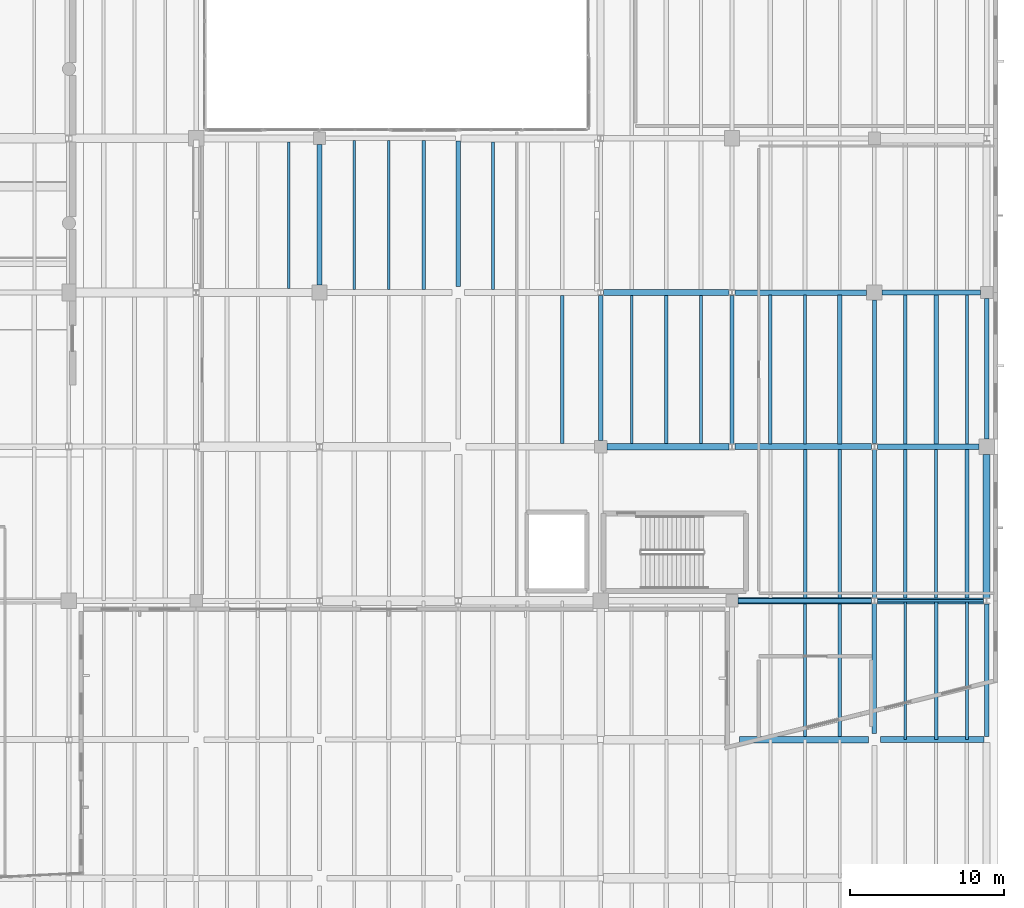
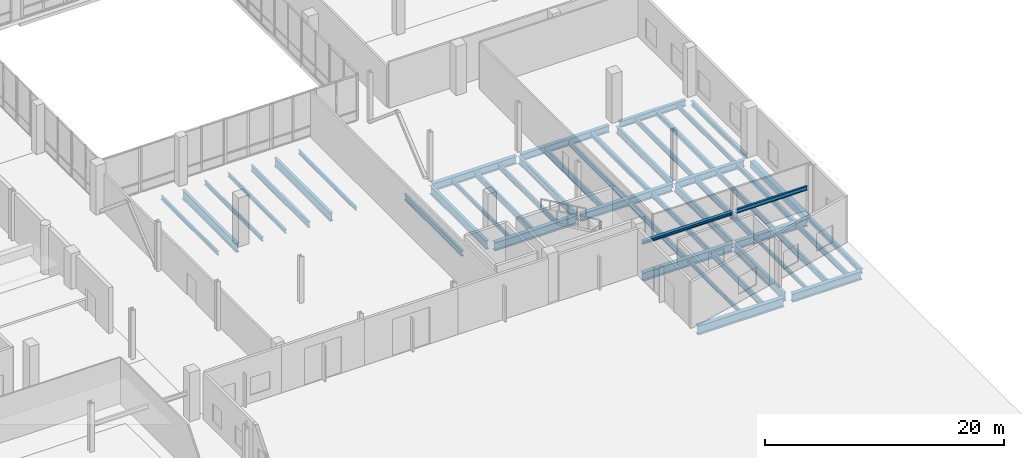
# One storey, part 52 of 88: 47 beams.
"""IFC4 building model written with IfcOpenShell, lengths in metres."""

from ifc_helpers import new_model, si_unit, direction, frame, origin, origin_2d, place, context, subcontext, project, spatial, rectangle, i_section, extrude, material, material_profile, profile_set, type_object, element, save


model = new_model("IFC4")

# Units and contexts
model_context = context("Model", 3, precision=1e-05, world=origin(), true_north=direction((0.0, 1.0)))
body_context = subcontext(model_context, "Body", "Model", "MODEL_VIEW")
ifc_project = project(units=[si_unit("LENGTHUNIT", "METRE"), si_unit("AREAUNIT", "SQUARE_METRE"), si_unit("VOLUMEUNIT", "CUBIC_METRE"), si_unit("PLANEANGLEUNIT", "RADIAN"), si_unit("MASSUNIT", "GRAM", prefix="KILO")], contexts=[model_context])

# Site, building, storey
site_placement = place(None, origin())
site = spatial("IfcSite", under=ifc_project, at=site_placement, CompositionType="ELEMENT")
building_placement = place(site_placement, origin())
building = spatial("IfcBuilding", under=site, at=building_placement, Name="Trimount Lyric Opera House", CompositionType="ELEMENT")
storey_placement = place(building_placement, origin())
storey = spatial("IfcBuildingStorey", under=building, at=storey_placement, Name="L00", CompositionType="ELEMENT", Elevation=0.0)

# Beams
ifc_material_1 = material(Name="Steel ASTM A992 Grade 50", Category="steel")
ifc_material_profile_1 = material_profile(ifc_material_1, i_section(OverallWidth=0.4189453125, OverallDepth=0.927001953125, WebThickness=0.019287109375, FlangeThickness=0.031982421875, FilletRadius=0.02392578125, at=origin_2d()), Name="W36X231")
ifc_profile_set_1 = profile_set([ifc_material_profile_1], Name="Steel ASTM A992 Grade 50")
beam_type_1 = type_object("IfcBeamType", Name="B-02", PredefinedType="BEAM", material=ifc_profile_set_1)
beam_1_placement = place(storey_placement, frame((157.260009765625, 35.0, -0.843505859375), z_axis=(1.0, 0.0, 0.0), x_axis=(0.0, 1.0, 0.0)))
element("IfcBeam", 1, at=beam_1_placement, inside=storey, type_object=beam_type_1, Name="L00 girder X-0082", PredefinedType="BEAM", context=body_context, shape_type="SweptSolid", body=[
    extrude(i_section(OverallWidth=0.4189453125, OverallDepth=0.927001953125, WebThickness=0.019287109375, FlangeThickness=0.031982421875, FilletRadius=0.02392578125, at=origin_2d()), origin(), (0.0, 0.0, 1.0), 8.340087890625),
])
ifc_material_2 = material(Name="Steel ASTM A992 Grade 50", Category="steel")
ifc_material_profile_2 = material_profile(ifc_material_2, i_section(OverallWidth=0.304931640625, OverallDepth=0.9189453125, WebThickness=0.017333984375, FlangeThickness=0.02783203125, FilletRadius=0.02001953125, at=origin_2d()), Name="W36X170")
ifc_profile_set_2 = profile_set([ifc_material_profile_2], Name="Steel ASTM A992 Grade 50")
beam_type_2 = type_object("IfcBeamType", Name="B-03", PredefinedType="BEAM", material=ifc_profile_set_2)
beam_2_placement = place(storey_placement, frame((130.0, 64.5, -0.839599609375), z_axis=(0.0, 1.0, 0.0), x_axis=(-1.0, 0.0, 0.0)))
element("IfcBeam", 2, at=beam_2_placement, inside=storey, type_object=beam_type_2, Name="L00 girder Y-0401", PredefinedType="BEAM", context=body_context, shape_type="SweptSolid", body=[
    extrude(i_section(OverallWidth=0.304931640625, OverallDepth=0.9189453125, WebThickness=0.017333984375, FlangeThickness=0.02783203125, FilletRadius=0.02001953125, at=origin_2d()), origin(), (0.0, 0.0, 1.0), 9.10009765625),
])
ifc_material_3 = material(Name="Steel ASTM A992 Grade 50", Category="steel")
ifc_material_profile_3 = material_profile(ifc_material_3, i_section(OverallWidth=0.40087890625, OverallDepth=0.861083984375, WebThickness=0.019775390625, FlangeThickness=0.032470703125, FilletRadius=0.02001953125, at=origin_2d()), Name="W33X221")
ifc_profile_set_3 = profile_set([ifc_material_profile_3], Name="Steel ASTM A992 Grade 50")
beam_type_3 = type_object("IfcBeamType", Name="B-04", PredefinedType="BEAM", material=ifc_profile_set_3)
beam_3_placement = place(storey_placement, frame((166.39990234375, 35.0, -0.73046875), z_axis=(1.0, 0.0, 0.0), x_axis=(0.0, 1.0, 0.0)))
element("IfcBeam", 3, at=beam_3_placement, inside=storey, type_object=beam_type_3, Name="L00 girder X-0083", PredefinedType="BEAM", context=body_context, shape_type="SweptSolid", body=[
    extrude(i_section(OverallWidth=0.40087890625, OverallDepth=0.861083984375, WebThickness=0.019775390625, FlangeThickness=0.032470703125, FilletRadius=0.02001953125, at=origin_2d()), origin(), (0.0, 0.0, 1.0), 6.693603515625),
])
beam_4_placement = place(storey_placement, frame((157.159912109375, 44.0, -0.810546875), z_axis=(1.0, 0.0, 0.0), x_axis=(0.0, 1.0, 0.0)))
element("IfcBeam", 4, at=beam_4_placement, inside=storey, type_object=beam_type_3, Name="L00 girder X-0101", PredefinedType="BEAM", context=body_context, shape_type="SweptSolid", body=[
    extrude(i_section(OverallWidth=0.40087890625, OverallDepth=0.861083984375, WebThickness=0.019775390625, FlangeThickness=0.032470703125, FilletRadius=0.02001953125, at=origin_2d()), origin(), (0.0, 0.0, 1.0), 8.653564453125),
])
beam_5_placement = place(storey_placement, frame((148.639892578125, 54.0, -0.810546875), z_axis=(1.0, 0.0, 0.0), x_axis=(0.0, 1.0, 0.0)))
element("IfcBeam", 5, at=beam_5_placement, inside=storey, type_object=beam_type_3, Name="L00 girder X-0119", PredefinedType="BEAM", context=body_context, shape_type="SweptSolid", body=[
    extrude(i_section(OverallWidth=0.40087890625, OverallDepth=0.861083984375, WebThickness=0.019775390625, FlangeThickness=0.032470703125, FilletRadius=0.02001953125, at=origin_2d()), origin(), (0.0, 0.0, 1.0), 7.93359375),
])
ifc_material_4 = material(Name="Steel ASTM A992 Grade 50", Category="steel")
ifc_material_profile_4 = material_profile(ifc_material_4, i_section(OverallWidth=0.2919921875, OverallDepth=0.845947265625, WebThickness=0.015380859375, FlangeThickness=0.0244140625, FilletRadius=0.01806640625, at=origin_2d()), Name="W33X141")
ifc_profile_set_4 = profile_set([ifc_material_profile_4], Name="Steel ASTM A992 Grade 50")
beam_type_4 = type_object("IfcBeamType", Name="B-05", PredefinedType="BEAM", material=ifc_profile_set_4)
for number, where, z_axis, x_axis, name in (
    (6, (139.0, 64.39990234375, -0.802978515625), (0.0, 1.0, 0.0), (-1.0, 0.0, 0.0), "L00 girder Y-0411"),
    (7, (148.239990234375, 54.39990234375, -0.802978515625), (0.0, 1.0, 0.0), (-1.0, 0.0, 0.0), "L00 girder Y-0420"),
):
    element("IfcBeam", number, at=place(storey_placement, frame(where, z_axis=z_axis, x_axis=x_axis)), inside=storey, type_object=beam_type_4, Name=name, PredefinedType="BEAM", context=body_context, shape_type="SweptSolid", body=[
        extrude(i_section(OverallWidth=0.2919921875, OverallDepth=0.845947265625, WebThickness=0.015380859375, FlangeThickness=0.0244140625, FilletRadius=0.01806640625, at=origin_2d()), origin(), (0.0, 0.0, 1.0), 9.416015625),
    ])
beam_6_placement = place(storey_placement, frame((166.0, 35.39990234375, -0.802978515625), z_axis=(0.0, 1.0, 0.0), x_axis=(-1.0, 0.0, 0.0)))
element("IfcBeam", 8, at=beam_6_placement, inside=storey, type_object=beam_type_4, Name="L00 girder Y-0443", PredefinedType="BEAM", context=body_context, shape_type="SweptSolid", body=[
    extrude(i_section(OverallWidth=0.2919921875, OverallDepth=0.845947265625, WebThickness=0.015380859375, FlangeThickness=0.0244140625, FilletRadius=0.01806640625, at=origin_2d()), origin(), (0.0, 0.0, 1.0), 8.416015625),
])
ifc_material_5 = material(Name="Steel ASTM A992 Grade 50", Category="steel")
ifc_material_profile_5 = material_profile(ifc_material_5, i_section(OverallWidth=0.382080078125, OverallDepth=0.779052734375, WebThickness=0.01806640625, FlangeThickness=0.0302734375, FilletRadius=0.01904296875, at=origin_2d()), Name="W30X191")
ifc_profile_set_5 = profile_set([ifc_material_profile_5], Name="Steel ASTM A992 Grade 50")
beam_type_5 = type_object("IfcBeamType", Name="B-06", PredefinedType="BEAM", material=ifc_profile_set_5)
beam_7_placement = place(storey_placement, frame((166.1865234375, 44.0, -0.76953125), z_axis=(1.0, 0.0, 0.0), x_axis=(0.0, 1.0, 0.0)))
element("IfcBeam", 9, at=beam_7_placement, inside=storey, type_object=beam_type_5, Name="L00 girder X-0102", PredefinedType="BEAM", context=body_context, shape_type="SweptSolid", body=[
    extrude(i_section(OverallWidth=0.382080078125, OverallDepth=0.779052734375, WebThickness=0.01806640625, FlangeThickness=0.0302734375, FilletRadius=0.01904296875, at=origin_2d()), origin(), (0.0, 0.0, 1.0), 6.89404296875),
])
beam_8_placement = place(storey_placement, frame((156.946533203125, 54.0, -0.76953125), z_axis=(1.0, 0.0, 0.0), x_axis=(0.0, 1.0, 0.0)))
element("IfcBeam", 10, at=beam_8_placement, inside=storey, type_object=beam_type_5, Name="L00 girder X-0120", PredefinedType="BEAM", context=body_context, shape_type="SweptSolid", body=[
    extrude(i_section(OverallWidth=0.382080078125, OverallDepth=0.779052734375, WebThickness=0.01806640625, FlangeThickness=0.0302734375, FilletRadius=0.01904296875, at=origin_2d()), origin(), (0.0, 0.0, 1.0), 8.85400390625),
])
beam_9_placement = place(storey_placement, frame((148.426513671875, 64.0, -0.76953125), z_axis=(1.0, 0.0, 0.0), x_axis=(0.0, 1.0, 0.0)))
element("IfcBeam", 11, at=beam_9_placement, inside=storey, type_object=beam_type_5, Name="L00 girder X-0138", PredefinedType="BEAM", context=body_context, shape_type="SweptSolid", body=[
    extrude(i_section(OverallWidth=0.382080078125, OverallDepth=0.779052734375, WebThickness=0.01806640625, FlangeThickness=0.0302734375, FilletRadius=0.01904296875, at=origin_2d()), origin(), (0.0, 0.0, 1.0), 8.134033203125),
])
ifc_material_6 = material(Name="Steel ASTM A992 Grade 50", Category="steel")
ifc_material_profile_6 = material_profile(ifc_material_6, i_section(OverallWidth=0.26708984375, OverallDepth=0.761962890625, WebThickness=0.014404296875, FlangeThickness=0.021484375, FilletRadius=0.01708984375, at=origin_2d()), Name="W30X116")
ifc_profile_set_6 = profile_set([ifc_material_profile_6], Name="Steel ASTM A992 Grade 50")
beam_type_6 = type_object("IfcBeamType", Name="B-07", PredefinedType="BEAM", material=ifc_profile_set_6)
for number, where, z_axis, x_axis, name in (
    (12, (156.760009765625, 54.18408203125, -0.760986328125), (0.0, 1.0, 0.0), (-1.0, 0.0, 0.0), "L00 girder Y-0432"),
    (13, (166.0, 44.18408203125, -0.760986328125), (0.0, 1.0, 0.0), (-1.0, 0.0, 0.0), "L00 girder Y-0444"),
):
    element("IfcBeam", number, at=place(storey_placement, frame(where, z_axis=z_axis, x_axis=x_axis)), inside=storey, type_object=beam_type_6, Name=name, PredefinedType="BEAM", context=body_context, shape_type="SweptSolid", body=[
        extrude(i_section(OverallWidth=0.26708984375, OverallDepth=0.761962890625, WebThickness=0.014404296875, FlangeThickness=0.021484375, FilletRadius=0.01708984375, at=origin_2d()), origin(), (0.0, 0.0, 1.0), 9.622802734375),
    ])
ifc_material_7 = material(Name="Steel ASTM A992 Grade 50", Category="steel")
ifc_material_profile_7 = material_profile(ifc_material_7, i_section(OverallWidth=0.35595703125, OverallDepth=0.700927734375, WebThickness=0.016845703125, FlangeThickness=0.02734375, FilletRadius=0.01806640625, at=origin_2d()), Name="W27X161")
ifc_profile_set_7 = profile_set([ifc_material_profile_7], Name="Steel ASTM A992 Grade 50")
beam_type_7 = type_object("IfcBeamType", Name="B-08", PredefinedType="BEAM", material=ifc_profile_set_7)
beam_10_placement = place(storey_placement, frame((166.199462890625, 54.0, -0.73046875), z_axis=(1.0, 0.0, 0.0), x_axis=(0.0, 1.0, 0.0)))
element("IfcBeam", 14, at=beam_10_placement, inside=storey, type_object=beam_type_7, Name="L00 girder X-0121", PredefinedType="BEAM", context=body_context, shape_type="SweptSolid", body=[
    extrude(i_section(OverallWidth=0.35595703125, OverallDepth=0.700927734375, WebThickness=0.016845703125, FlangeThickness=0.02734375, FilletRadius=0.01806640625, at=origin_2d()), origin(), (0.0, 0.0, 1.0), 6.58056640625),
])
beam_11_placement = place(storey_placement, frame((156.95947265625, 64.0, -0.73046875), z_axis=(1.0, 0.0, 0.0), x_axis=(0.0, 1.0, 0.0)))
element("IfcBeam", 15, at=beam_11_placement, inside=storey, type_object=beam_type_7, Name="L00 girder X-0139", PredefinedType="BEAM", context=body_context, shape_type="SweptSolid", body=[
    extrude(i_section(OverallWidth=0.35595703125, OverallDepth=0.700927734375, WebThickness=0.016845703125, FlangeThickness=0.02734375, FilletRadius=0.01806640625, at=origin_2d()), origin(), (0.0, 0.0, 1.0), 8.54052734375),
])
ifc_material_8 = material(Name="Steel ASTM A992 Grade 50", Category="steel")
ifc_material_profile_8 = material_profile(ifc_material_8, i_section(OverallWidth=0.25390625, OverallDepth=0.68798828125, WebThickness=0.01318359375, FlangeThickness=0.02099609375, FilletRadius=0.01611328125, at=origin_2d()), Name="W27X102")
ifc_profile_set_8 = profile_set([ifc_material_profile_8], Name="Steel ASTM A992 Grade 50")
beam_type_8 = type_object("IfcBeamType", Name="B-09", PredefinedType="BEAM", material=ifc_profile_set_8)
beam_12_placement = place(storey_placement, frame((166.0, 54.193115234375, -0.72412109375), z_axis=(0.0, 1.0, 0.0), x_axis=(-1.0, 0.0, 0.0)))
element("IfcBeam", 16, at=beam_12_placement, inside=storey, type_object=beam_type_8, Name="L00 girder Y-0445", PredefinedType="BEAM", context=body_context, shape_type="SweptSolid", body=[
    extrude(i_section(OverallWidth=0.25390625, OverallDepth=0.68798828125, WebThickness=0.01318359375, FlangeThickness=0.02099609375, FilletRadius=0.01611328125, at=origin_2d()), origin(), (0.0, 0.0, 1.0), 9.306884765625),
])
ifc_material_9 = material(Name="Steel ASTM A992 Grade 50", Category="steel")
ifc_material_profile_9 = material_profile(ifc_material_9, i_section(OverallWidth=0.327880859375, OverallDepth=0.626953125, WebThickness=0.0166015625, FlangeThickness=0.027587890625, FilletRadius=0.01611328125, at=origin_2d()), Name="W24X146")
ifc_profile_set_9 = profile_set([ifc_material_profile_9], Name="Steel ASTM A992 Grade 50")
beam_type_9 = type_object("IfcBeamType", Name="B-10", PredefinedType="BEAM", material=ifc_profile_set_9)
beam_13_placement = place(storey_placement, frame((166.5, 64.0, -0.693603515625), z_axis=(1.0, 0.0, 0.0), x_axis=(0.0, 1.0, 0.0)))
element("IfcBeam", 17, at=beam_13_placement, inside=storey, type_object=beam_type_9, Name="L00 girder X-0140", PredefinedType="BEAM", context=body_context, shape_type="SweptSolid", body=[
    extrude(i_section(OverallWidth=0.327880859375, OverallDepth=0.626953125, WebThickness=0.0166015625, FlangeThickness=0.027587890625, FilletRadius=0.01611328125, at=origin_2d()), origin(), (0.0, 0.0, 1.0), 6.3798828125),
])
ifc_material_10 = material(Name="Steel ASTM A992 Grade 50", Category="steel")
ifc_material_profile_10 = material_profile(ifc_material_10, i_section(OverallWidth=0.22802734375, OverallDepth=0.60205078125, WebThickness=0.010498046875, FlangeThickness=0.014892578125, FilletRadius=0.012939453125, at=origin_2d()), Name="W24X68")
ifc_profile_set_10 = profile_set([ifc_material_profile_10], Name="Steel ASTM A992 Grade 50")
beam_type_10 = type_object("IfcBeamType", Name="J-01", PredefinedType="BEAM", material=ifc_profile_set_10)
beam_14_placement = place(storey_placement, frame((136.75, 64.20556640625, -0.680908203125), z_axis=(0.0, 1.0, 0.0), x_axis=(-1.0, 0.0, 0.0)))
element("IfcBeam", 18, at=beam_14_placement, inside=storey, type_object=beam_type_10, Name="L00 composite floor joist 0422", PredefinedType="BEAM", context=body_context, shape_type="SweptSolid", body=[
    extrude(i_section(OverallWidth=0.22802734375, OverallDepth=0.60205078125, WebThickness=0.010498046875, FlangeThickness=0.014892578125, FilletRadius=0.012939453125, at=origin_2d()), origin(), (0.0, 0.0, 1.0), 9.657470703125),
])
beam_15_placement = place(storey_placement, frame((145.75, 54.20556640625, -0.680908203125), z_axis=(0.0, 1.0, 0.0), x_axis=(-1.0, 0.0, 0.0)))
element("IfcBeam", 19, at=beam_15_placement, inside=storey, type_object=beam_type_10, Name="L00 composite floor joist 0448", PredefinedType="BEAM", context=body_context, shape_type="SweptSolid", body=[
    extrude(i_section(OverallWidth=0.22802734375, OverallDepth=0.60205078125, WebThickness=0.010498046875, FlangeThickness=0.014892578125, FilletRadius=0.012939453125, at=origin_2d()), origin(), (0.0, 0.0, 1.0), 9.597900390625),
])
beam_16_placement = place(storey_placement, frame((152.5, 54.196533203125, -0.680908203125), z_axis=(0.0, 1.0, 0.0), x_axis=(-1.0, 0.0, 0.0)))
element("IfcBeam", 20, at=beam_16_placement, inside=storey, type_object=beam_type_10, Name="L00 composite floor joist 0474", PredefinedType="BEAM", context=body_context, shape_type="SweptSolid", body=[
    extrude(i_section(OverallWidth=0.22802734375, OverallDepth=0.60205078125, WebThickness=0.010498046875, FlangeThickness=0.014892578125, FilletRadius=0.012939453125, at=origin_2d()), origin(), (0.0, 0.0, 1.0), 9.616455078125),
])
beam_17_placement = place(storey_placement, frame((163.75, 35.20556640625, -0.680908203125), z_axis=(0.0, 1.0, 0.0), x_axis=(-1.0, 0.0, 0.0)))
element("IfcBeam", 21, at=beam_17_placement, inside=storey, type_object=beam_type_10, Name="L00 composite floor joist 0508", PredefinedType="BEAM", context=body_context, shape_type="SweptSolid", body=[
    extrude(i_section(OverallWidth=0.22802734375, OverallDepth=0.60205078125, WebThickness=0.010498046875, FlangeThickness=0.014892578125, FilletRadius=0.012939453125, at=origin_2d()), origin(), (0.0, 0.0, 1.0), 8.597900390625),
])
beam_18_placement = place(storey_placement, frame((161.5, 44.196533203125, -0.680908203125), z_axis=(0.0, 1.0, 0.0), x_axis=(-1.0, 0.0, 0.0)))
element("IfcBeam", 22, at=beam_18_placement, inside=storey, type_object=beam_type_10, Name="L00 composite floor joist 0510", PredefinedType="BEAM", context=body_context, shape_type="SweptSolid", body=[
    extrude(i_section(OverallWidth=0.22802734375, OverallDepth=0.60205078125, WebThickness=0.010498046875, FlangeThickness=0.014892578125, FilletRadius=0.012939453125, at=origin_2d()), origin(), (0.0, 0.0, 1.0), 9.616455078125),
])
beam_19_placement = place(storey_placement, frame((159.25, 54.18701171875, -0.680908203125), z_axis=(0.0, 1.0, 0.0), x_axis=(-1.0, 0.0, 0.0)))
element("IfcBeam", 23, at=beam_19_placement, inside=storey, type_object=beam_type_10, Name="L00 composite floor joist 0512", PredefinedType="BEAM", context=body_context, shape_type="SweptSolid", body=[
    extrude(i_section(OverallWidth=0.22802734375, OverallDepth=0.60205078125, WebThickness=0.010498046875, FlangeThickness=0.014892578125, FilletRadius=0.012939453125, at=origin_2d()), origin(), (0.0, 0.0, 1.0), 9.638916015625),
])
beam_20_placement = place(storey_placement, frame((170.0, 35.011962890625, -0.680908203125), z_axis=(0.0, 1.0, 0.0), x_axis=(-1.0, 0.0, 0.0)))
element("IfcBeam", 24, at=beam_20_placement, inside=storey, type_object=beam_type_10, Name="L00 composite floor joist 0546", PredefinedType="BEAM", context=body_context, shape_type="SweptSolid", body=[
    extrude(i_section(OverallWidth=0.22802734375, OverallDepth=0.60205078125, WebThickness=0.010498046875, FlangeThickness=0.014892578125, FilletRadius=0.012939453125, at=origin_2d()), origin(), (0.0, 0.0, 1.0), 8.97607421875),
])
beam_21_placement = place(storey_placement, frame((168.0, 44.18701171875, -0.680908203125), z_axis=(0.0, 1.0, 0.0), x_axis=(-1.0, 0.0, 0.0)))
element("IfcBeam", 25, at=beam_21_placement, inside=storey, type_object=beam_type_10, Name="L00 composite floor joist 0548", PredefinedType="BEAM", context=body_context, shape_type="SweptSolid", body=[
    extrude(i_section(OverallWidth=0.22802734375, OverallDepth=0.60205078125, WebThickness=0.010498046875, FlangeThickness=0.014892578125, FilletRadius=0.012939453125, at=origin_2d()), origin(), (0.0, 0.0, 1.0), 9.638916015625),
])
ifc_material_11 = material(Name="Steel ASTM A992 Grade 50", Category="steel")
ifc_material_profile_11 = material_profile(ifc_material_11, i_section(OverallWidth=0.2099609375, OverallDepth=0.532958984375, WebThickness=0.01025390625, FlangeThickness=0.015625, FilletRadius=0.012939453125, at=origin_2d()), Name="W21X62")
ifc_profile_set_11 = profile_set([ifc_material_profile_11], Name="Steel ASTM A992 Grade 50")
beam_type_11 = type_object("IfcBeamType", Name="J-02", PredefinedType="BEAM", material=ifc_profile_set_11)
for number, where, z_axis, x_axis, name in (
    (26, (154.75, 54.196533203125, -0.646484375), (0.0, 1.0, 0.0), (-1.0, 0.0, 0.0), "L00 composite floor joist 0475"),
    (27, (163.75, 44.196533203125, -0.646484375), (0.0, 1.0, 0.0), (-1.0, 0.0, 0.0), "L00 composite floor joist 0511"),
):
    element("IfcBeam", number, at=place(storey_placement, frame(where, z_axis=z_axis, x_axis=x_axis)), inside=storey, type_object=beam_type_11, Name=name, PredefinedType="BEAM", context=body_context, shape_type="SweptSolid", body=[
        extrude(i_section(OverallWidth=0.2099609375, OverallDepth=0.532958984375, WebThickness=0.01025390625, FlangeThickness=0.015625, FilletRadius=0.012939453125, at=origin_2d()), origin(), (0.0, 0.0, 1.0), 9.616455078125),
    ])
beam_22_placement = place(storey_placement, frame((161.5, 54.18701171875, -0.646484375), z_axis=(0.0, 1.0, 0.0), x_axis=(-1.0, 0.0, 0.0)))
element("IfcBeam", 28, at=beam_22_placement, inside=storey, type_object=beam_type_11, Name="L00 composite floor joist 0513", PredefinedType="BEAM", context=body_context, shape_type="SweptSolid", body=[
    extrude(i_section(OverallWidth=0.2099609375, OverallDepth=0.532958984375, WebThickness=0.01025390625, FlangeThickness=0.015625, FilletRadius=0.012939453125, at=origin_2d()), origin(), (0.0, 0.0, 1.0), 9.638916015625),
])
beam_23_placement = place(storey_placement, frame((172.0, 35.011962890625, -0.646484375), z_axis=(0.0, 1.0, 0.0), x_axis=(-1.0, 0.0, 0.0)))
element("IfcBeam", 29, at=beam_23_placement, inside=storey, type_object=beam_type_11, Name="L00 composite floor joist 0547", PredefinedType="BEAM", context=body_context, shape_type="SweptSolid", body=[
    extrude(i_section(OverallWidth=0.2099609375, OverallDepth=0.532958984375, WebThickness=0.01025390625, FlangeThickness=0.015625, FilletRadius=0.012939453125, at=origin_2d()), origin(), (0.0, 0.0, 1.0), 8.97607421875),
])
beam_24_placement = place(storey_placement, frame((170.0, 44.18701171875, -0.646484375), z_axis=(0.0, 1.0, 0.0), x_axis=(-1.0, 0.0, 0.0)))
element("IfcBeam", 30, at=beam_24_placement, inside=storey, type_object=beam_type_11, Name="L00 composite floor joist 0549", PredefinedType="BEAM", context=body_context, shape_type="SweptSolid", body=[
    extrude(i_section(OverallWidth=0.2099609375, OverallDepth=0.532958984375, WebThickness=0.01025390625, FlangeThickness=0.015625, FilletRadius=0.012939453125, at=origin_2d()), origin(), (0.0, 0.0, 1.0), 9.638916015625),
])
beam_25_placement = place(storey_placement, frame((168.0, 54.174072265625, -0.646484375), z_axis=(0.0, 1.0, 0.0), x_axis=(-1.0, 0.0, 0.0)))
element("IfcBeam", 31, at=beam_25_placement, inside=storey, type_object=beam_type_11, Name="L00 composite floor joist 0551", PredefinedType="BEAM", context=body_context, shape_type="SweptSolid", body=[
    extrude(i_section(OverallWidth=0.2099609375, OverallDepth=0.532958984375, WebThickness=0.01025390625, FlangeThickness=0.015625, FilletRadius=0.012939453125, at=origin_2d()), origin(), (0.0, 0.0, 1.0), 9.666015625),
])
ifc_material_12 = material(Name="Steel ASTM A992 Grade 50", Category="steel")
ifc_material_profile_12 = material_profile(ifc_material_12, i_section(OverallWidth=0.281982421875, OverallDepth=0.467041015625, WebThickness=0.01220703125, FlangeThickness=0.01953125, FilletRadius=0.012939453125, at=origin_2d()), Name="W18X86")
ifc_profile_set_12 = profile_set([ifc_material_profile_12], Name="Steel ASTM A992 Grade 50")
beam_type_12 = type_object("IfcBeamType", Name="J-03", PredefinedType="BEAM", material=ifc_profile_set_12)
for number, where, z_axis, x_axis, name in (
    (32, (163.75, 54.18701171875, -0.613525390625), (0.0, 1.0, 0.0), (-1.0, 0.0, 0.0), "L00 composite floor joist 0514"),
    (33, (172.0, 44.18701171875, -0.613525390625), (0.0, 1.0, 0.0), (-1.0, 0.0, 0.0), "L00 composite floor joist 0550"),
):
    element("IfcBeam", number, at=place(storey_placement, frame(where, z_axis=z_axis, x_axis=x_axis)), inside=storey, type_object=beam_type_12, Name=name, PredefinedType="BEAM", context=body_context, shape_type="SweptSolid", body=[
        extrude(i_section(OverallWidth=0.281982421875, OverallDepth=0.467041015625, WebThickness=0.01220703125, FlangeThickness=0.01953125, FilletRadius=0.012939453125, at=origin_2d()), origin(), (0.0, 0.0, 1.0), 9.638916015625),
    ])
beam_26_placement = place(storey_placement, frame((170.0, 54.174072265625, -0.613525390625), z_axis=(0.0, 1.0, 0.0), x_axis=(-1.0, 0.0, 0.0)))
element("IfcBeam", 34, at=beam_26_placement, inside=storey, type_object=beam_type_12, Name="L00 composite floor joist 0552", PredefinedType="BEAM", context=body_context, shape_type="SweptSolid", body=[
    extrude(i_section(OverallWidth=0.281982421875, OverallDepth=0.467041015625, WebThickness=0.01220703125, FlangeThickness=0.01953125, FilletRadius=0.012939453125, at=origin_2d()), origin(), (0.0, 0.0, 1.0), 9.666015625),
])
ifc_material_13 = material(Name="Steel ASTM A992 Grade 50", Category="steel")
ifc_material_profile_13 = material_profile(ifc_material_13, i_section(OverallWidth=0.19091796875, OverallDepth=0.45703125, WebThickness=0.009033203125, FlangeThickness=0.014404296875, FilletRadius=0.010986328125, at=origin_2d()), Name="W18X50")
ifc_profile_set_13 = profile_set([ifc_material_profile_13], Name="Steel ASTM A992 Grade 50")
beam_type_13 = type_object("IfcBeamType", Name="J-04", PredefinedType="BEAM", material=ifc_profile_set_13)
beam_27_placement = place(storey_placement, frame((172.0, 54.174072265625, -0.6083984375), z_axis=(0.0, 1.0, 0.0), x_axis=(-1.0, 0.0, 0.0)))
element("IfcBeam", 35, at=beam_27_placement, inside=storey, type_object=beam_type_13, Name="L00 composite floor joist 0553", PredefinedType="BEAM", context=body_context, shape_type="SweptSolid", body=[
    extrude(i_section(OverallWidth=0.19091796875, OverallDepth=0.45703125, WebThickness=0.009033203125, FlangeThickness=0.014404296875, FilletRadius=0.010986328125, at=origin_2d()), origin(), (0.0, 0.0, 1.0), 9.666015625),
])
ifc_material_14 = material(Name="Steel ASTM A992 Grade 50", Category="steel")
ifc_material_profile_14 = material_profile(ifc_material_14, i_section(OverallWidth=0.180908203125, OverallDepth=0.4169921875, WebThickness=0.010986328125, FlangeThickness=0.018310546875, FilletRadius=0.010986328125, at=origin_2d()), Name="W16X57")
ifc_profile_set_14 = profile_set([ifc_material_profile_14], Name="Steel ASTM A992 Grade 50")
beam_type_14 = type_object("IfcBeamType", Name="J-05", PredefinedType="BEAM", material=ifc_profile_set_14)
beam_28_placement = place(storey_placement, frame((132.25, 64.20556640625, -0.58837890625), z_axis=(0.0, 1.0, 0.0), x_axis=(-1.0, 0.0, 0.0)))
element("IfcBeam", 36, at=beam_28_placement, inside=storey, type_object=beam_type_14, Name="L00 composite floor joist 0420", PredefinedType="BEAM", context=body_context, shape_type="SweptSolid", body=[
    extrude(i_section(OverallWidth=0.180908203125, OverallDepth=0.4169921875, WebThickness=0.010986328125, FlangeThickness=0.018310546875, FilletRadius=0.010986328125, at=origin_2d()), origin(), (0.0, 0.0, 1.0), 9.657470703125),
])
ifc_material_15 = material(Name="Steel ASTM A992 Grade 50", Category="steel")
ifc_material_profile_15 = material_profile(ifc_material_15, i_section(OverallWidth=0.177978515625, OverallDepth=0.404052734375, WebThickness=0.007568359375, FlangeThickness=0.010986328125, FilletRadius=0.010009765625, at=origin_2d()), Name="W16X36")
ifc_profile_set_15 = profile_set([ifc_material_profile_15], Name="Steel ASTM A992 Grade 50")
beam_type_15 = type_object("IfcBeamType", Name="J-06", PredefinedType="BEAM", material=ifc_profile_set_15)
beam_29_placement = place(storey_placement, frame((128.0, 64.27099609375, -0.58203125), z_axis=(0.0, 1.0, 0.0), x_axis=(-1.0, 0.0, 0.0)))
element("IfcBeam", 37, at=beam_29_placement, inside=storey, type_object=beam_type_15, Name="L00 composite floor joist 0392", PredefinedType="BEAM", context=body_context, shape_type="SweptSolid", body=[
    extrude(i_section(OverallWidth=0.177978515625, OverallDepth=0.404052734375, WebThickness=0.007568359375, FlangeThickness=0.010986328125, FilletRadius=0.010009765625, at=origin_2d()), origin(), (0.0, 0.0, 1.0), 9.508056640625),
])
beam_30_placement = place(storey_placement, frame((134.5, 64.20556640625, -0.58203125), z_axis=(0.0, 1.0, 0.0), x_axis=(-1.0, 0.0, 0.0)))
element("IfcBeam", 38, at=beam_30_placement, inside=storey, type_object=beam_type_15, Name="L00 composite floor joist 0421", PredefinedType="BEAM", context=body_context, shape_type="SweptSolid", body=[
    extrude(i_section(OverallWidth=0.177978515625, OverallDepth=0.404052734375, WebThickness=0.007568359375, FlangeThickness=0.010986328125, FilletRadius=0.010009765625, at=origin_2d()), origin(), (0.0, 0.0, 1.0), 9.657470703125),
])
beam_31_placement = place(storey_placement, frame((141.25, 64.196533203125, -0.58203125), z_axis=(0.0, 1.0, 0.0), x_axis=(-1.0, 0.0, 0.0)))
element("IfcBeam", 39, at=beam_31_placement, inside=storey, type_object=beam_type_15, Name="L00 composite floor joist 0449", PredefinedType="BEAM", context=body_context, shape_type="SweptSolid", body=[
    extrude(i_section(OverallWidth=0.177978515625, OverallDepth=0.404052734375, WebThickness=0.007568359375, FlangeThickness=0.010986328125, FilletRadius=0.010009765625, at=origin_2d()), origin(), (0.0, 0.0, 1.0), 9.58251953125),
])
beam_32_placement = place(storey_placement, frame((150.25, 54.196533203125, -0.58203125), z_axis=(0.0, 1.0, 0.0), x_axis=(-1.0, 0.0, 0.0)))
element("IfcBeam", 40, at=beam_32_placement, inside=storey, type_object=beam_type_15, Name="L00 composite floor joist 0473", PredefinedType="BEAM", context=body_context, shape_type="SweptSolid", body=[
    extrude(i_section(OverallWidth=0.177978515625, OverallDepth=0.404052734375, WebThickness=0.007568359375, FlangeThickness=0.010986328125, FilletRadius=0.010009765625, at=origin_2d()), origin(), (0.0, 0.0, 1.0), 9.616455078125),
])
beam_33_placement = place(storey_placement, frame((161.5, 35.20556640625, -0.58203125), z_axis=(0.0, 1.0, 0.0), x_axis=(-1.0, 0.0, 0.0)))
element("IfcBeam", 41, at=beam_33_placement, inside=storey, type_object=beam_type_15, Name="L00 composite floor joist 0507", PredefinedType="BEAM", context=body_context, shape_type="SweptSolid", body=[
    extrude(i_section(OverallWidth=0.177978515625, OverallDepth=0.404052734375, WebThickness=0.007568359375, FlangeThickness=0.010986328125, FilletRadius=0.010009765625, at=origin_2d()), origin(), (0.0, 0.0, 1.0), 8.597900390625),
])
beam_34_placement = place(storey_placement, frame((168.0, 35.011962890625, -0.58203125), z_axis=(0.0, 1.0, 0.0), x_axis=(-1.0, 0.0, 0.0)))
element("IfcBeam", 42, at=beam_34_placement, inside=storey, type_object=beam_type_15, Name="L00 composite floor joist 0545", PredefinedType="BEAM", context=body_context, shape_type="SweptSolid", body=[
    extrude(i_section(OverallWidth=0.177978515625, OverallDepth=0.404052734375, WebThickness=0.007568359375, FlangeThickness=0.010986328125, FilletRadius=0.010009765625, at=origin_2d()), origin(), (0.0, 0.0, 1.0), 8.97607421875),
])
ifc_material_16 = material(Name="Steel ASTM A992 Grade 50", Category="steel")
ifc_material_profile_16 = material_profile(ifc_material_16, i_section(OverallWidth=0.304931640625, OverallDepth=0.306884765625, WebThickness=0.010009765625, FlangeThickness=0.015380859375, FilletRadius=0.012939453125, at=origin_2d()), Name="W12X65")
ifc_profile_set_16 = profile_set([ifc_material_profile_16], Name="Steel ASTM A992 Grade 50")
beam_type_16 = type_object("IfcBeamType", Name="LN-01", PredefinedType="LINTEL", material=ifc_profile_set_16)
beam_35_placement = place(storey_placement, frame((157.159912109375, 44.0, 2.64990234375), z_axis=(1.0, 0.0, 0.0), x_axis=(0.0, 1.0, 0.0)))
element("IfcBeam", 43, at=beam_35_placement, inside=storey, type_object=beam_type_16, Name="L00 interior portal lintel 09", PredefinedType="LINTEL", context=body_context, shape_type="SweptSolid", body=[
    extrude(i_section(OverallWidth=0.304931640625, OverallDepth=0.306884765625, WebThickness=0.010009765625, FlangeThickness=0.015380859375, FilletRadius=0.012939453125, at=origin_2d()), origin(), (0.0, 0.0, 1.0), 8.653564453125),
])
ifc_material_17 = material(Name="Steel ASTM A992 Grade 50", Category="steel")
ifc_material_profile_17 = material_profile(ifc_material_17, i_section(OverallWidth=0.180908203125, OverallDepth=0.4169921875, WebThickness=0.010986328125, FlangeThickness=0.018310546875, FilletRadius=0.010986328125, at=origin_2d()), Name="W16X57")
ifc_profile_set_17 = profile_set([ifc_material_profile_17], Name="Steel ASTM A992 Grade 50")
beam_type_17 = type_object("IfcBeamType", Name="LN-02", PredefinedType="LINTEL", material=ifc_profile_set_17)
beam_36_placement = place(storey_placement, frame((166.1865234375, 44.0, 2.64990234375), z_axis=(1.0, 0.0, 0.0), x_axis=(0.0, 1.0, 0.0)))
element("IfcBeam", 44, at=beam_36_placement, inside=storey, type_object=beam_type_17, Name="L00 interior portal lintel 10", PredefinedType="LINTEL", context=body_context, shape_type="SweptSolid", body=[
    extrude(i_section(OverallWidth=0.180908203125, OverallDepth=0.4169921875, WebThickness=0.010986328125, FlangeThickness=0.018310546875, FilletRadius=0.010986328125, at=origin_2d()), origin(), (0.0, 0.0, 1.0), 6.89404296875),
])
ifc_material_18 = material(Name="Steel ASTM A992 Grade 50", Category="steel")
ifc_material_profile_18 = material_profile(ifc_material_18, i_section(OverallWidth=0.281982421875, OverallDepth=0.467041015625, WebThickness=0.01220703125, FlangeThickness=0.01953125, FilletRadius=0.012939453125, at=origin_2d()), Name="W18X86")
ifc_profile_set_18 = profile_set([ifc_material_profile_18], Name="Steel ASTM A992 Grade 50")
beam_type_18 = type_object("IfcBeamType", Name="SP-01", PredefinedType="SPANDREL", material=ifc_profile_set_18)
beam_37_placement = place(storey_placement, frame((173.280029296875, 35.18408203125, -0.613525390625), z_axis=(0.0, 1.0, 0.0), x_axis=(-1.0, 0.0, 0.0)))
element("IfcBeam", 45, at=beam_37_placement, inside=storey, type_object=beam_type_18, Name="L00 girder Y-0456", PredefinedType="SPANDREL", context=body_context, shape_type="SweptSolid", body=[
    extrude(i_section(OverallWidth=0.281982421875, OverallDepth=0.467041015625, WebThickness=0.01220703125, FlangeThickness=0.01953125, FilletRadius=0.012939453125, at=origin_2d()), origin(), (0.0, 0.0, 1.0), 8.622802734375),
])
beam_38_placement = place(storey_placement, frame((173.280029296875, 54.5, -0.613525390625), z_axis=(0.0, 1.0, 0.0), x_axis=(-1.0, 0.0, 0.0)))
element("IfcBeam", 46, at=beam_38_placement, inside=storey, type_object=beam_type_18, Name="L00 girder Y-0458", PredefinedType="SPANDREL", context=body_context, shape_type="SweptSolid", body=[
    extrude(i_section(OverallWidth=0.281982421875, OverallDepth=0.467041015625, WebThickness=0.01220703125, FlangeThickness=0.01953125, FilletRadius=0.012939453125, at=origin_2d()), origin(), (0.0, 0.0, 1.0), 9.10009765625),
])
ifc_material_19 = material(Name="Concrete C40/50", Category="concrete")
ifc_material_profile_19 = material_profile(ifc_material_19, rectangle(XDim=0.449951171875, YDim=0.699951171875, at=origin_2d()), Name="RC450X700")
ifc_profile_set_19 = profile_set([ifc_material_profile_19], Name="Concrete C40/50")
beam_type_19 = type_object("IfcBeamType", Name="SP-02", PredefinedType="SPANDREL", material=ifc_profile_set_19)
beam_39_placement = place(storey_placement, frame((173.280029296875, 44.193115234375, -0.72998046875), z_axis=(0.0, 1.0, 0.0), x_axis=(-1.0, 0.0, 0.0)))
element("IfcBeam", 47, at=beam_39_placement, inside=storey, type_object=beam_type_19, Name="L00 girder Y-0457", PredefinedType="SPANDREL", context=body_context, shape_type="SweptSolid", body=[
    extrude(rectangle(XDim=0.449951171875, YDim=0.699951171875, at=origin_2d()), origin(), (0.0, 0.0, 1.0), 9.306884765625),
])

save(model, "model.ifc")
